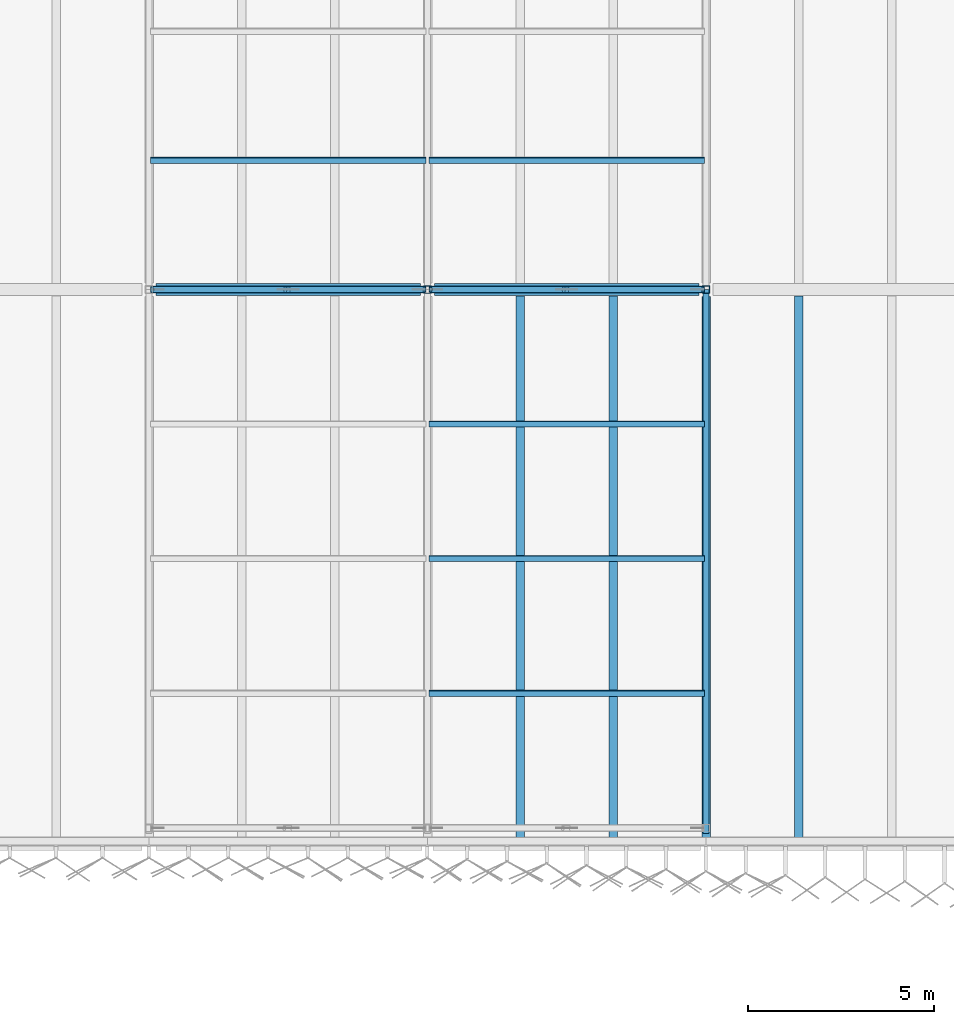
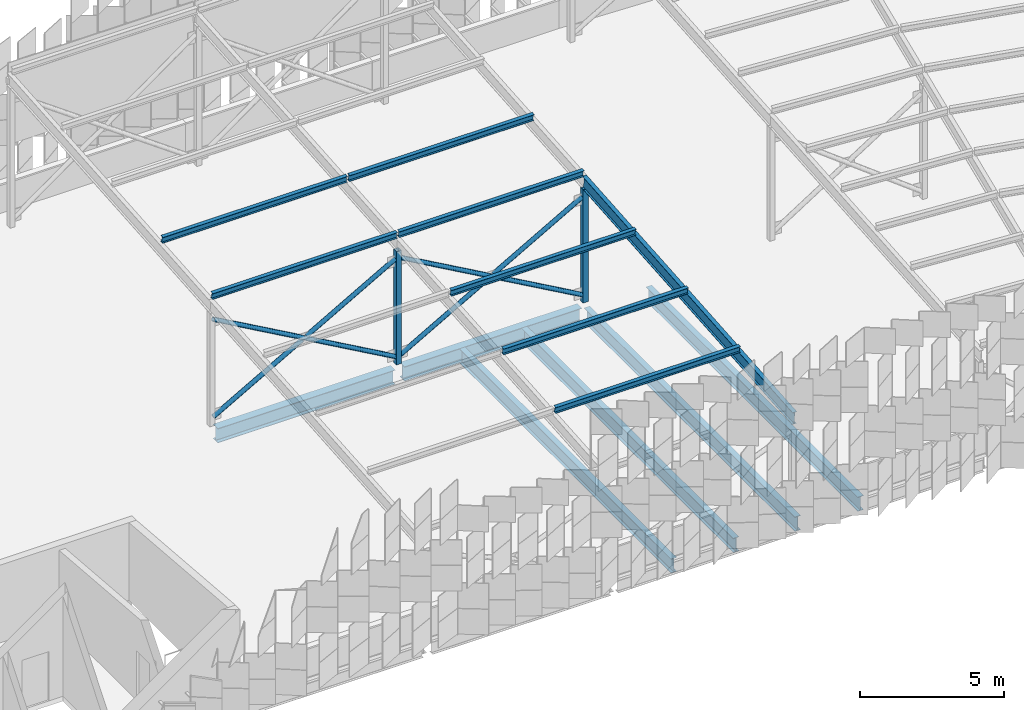
# One storey, part 81 of 483: 16 members, 6 beams.
"""IFC4 building model written with IfcOpenShell, lengths in metres."""

from ifc_helpers import new_model, si_unit, direction, frame, origin, origin_2d, place, context, subcontext, project, spatial, hollow_rectangle, hollow_circle, i_section, extrude, material, material_profile, profile_set, type_object, element, save


model = new_model("IFC4")

# Units and contexts
model_context = context("Model", 3, precision=1e-05, world=origin(), true_north=direction((0.0, 1.0)))
body_context = subcontext(model_context, "Body", "Model", "MODEL_VIEW")
ifc_project = project(units=[si_unit("LENGTHUNIT", "METRE"), si_unit("AREAUNIT", "SQUARE_METRE"), si_unit("VOLUMEUNIT", "CUBIC_METRE"), si_unit("PLANEANGLEUNIT", "RADIAN"), si_unit("MASSUNIT", "GRAM", prefix="KILO")], contexts=[model_context])

# Site, building, storey
site_placement = place(None, origin())
site = spatial("IfcSite", under=ifc_project, at=site_placement, CompositionType="ELEMENT")
building_placement = place(site_placement, origin())
building = spatial("IfcBuilding", under=site, at=building_placement, Name="Parallax Yard Mobility Hub", CompositionType="ELEMENT")
storey_placement = place(building_placement, frame((0.0, 0.0, 13.199951171875)))
storey = spatial("IfcBuildingStorey", under=building, at=storey_placement, Name="L04", CompositionType="ELEMENT", Elevation=13.199951171875)

# Members
ifc_material_1 = material(Name="Steel ASTM A500 Gr C", Category="steel")
ifc_material_profile_1 = material_profile(ifc_material_1, hollow_circle(Radius=0.0888671875, WallThickness=0.0078125, at=origin_2d()), Name="HSS177.8x7.9")
ifc_profile_set_1 = profile_set([ifc_material_profile_1], Name="Steel ASTM A500 Gr C")
member_type_1 = type_object("IfcMemberType", Name="Canopy brace HSS177.8x7.9", PredefinedType="BRACE", material=ifc_profile_set_1)
member_1_placement = place(storey_placement, frame((157.413330078125, 127.5, 0.300048828125), z_axis=(-0.870117516531, 0.0, 0.492844303432), x_axis=(0.0, -1.0, 0.0)))
element("IfcMember", 1, at=member_1_placement, inside=storey, type_object=member_type_1, Name="Canopy X brace RB bay N-C bay 1 diagonal B", PredefinedType="BRACE", context=body_context, shape_type="SweptSolid", body=[
    extrude(hollow_circle(Radius=0.0888671875, WallThickness=0.0078125, at=origin_2d()), origin(), (0.0, 0.0, 1.0), 8.42041015625),
])
for number, where, z_axis, x_axis, name in (
    (2, (150.086669921875, 127.5, 0.300048828125), (0.870112904421, 0.0, 0.492852446032), (0.0, 1.0, 0.0), "Canopy X brace RB bay N-C bay 1 diagonal A part 1"),
    (3, (153.83154296875, 127.5, 2.421142578125), (0.870112904421, 0.0, 0.492852446032), (0.0, 1.0, 0.0), "Canopy X brace RB bay N-C bay 1 diagonal A part 2"),
):
    element("IfcMember", number, at=place(storey_placement, frame(where, z_axis=z_axis, x_axis=x_axis)), inside=storey, type_object=member_type_1, Name=name, PredefinedType="BRACE", context=body_context, shape_type="SweptSolid", body=[
        extrude(hollow_circle(Radius=0.0888671875, WallThickness=0.0078125, at=origin_2d()), origin(), (0.0, 0.0, 1.0), 4.116455078125),
    ])
member_2_placement = place(storey_placement, frame((164.913330078125, 127.5, 0.300048828125), z_axis=(-0.870117516531, 0.0, 0.492844303432), x_axis=(0.0, -1.0, 0.0)))
element("IfcMember", 4, at=member_2_placement, inside=storey, type_object=member_type_1, Name="Canopy X brace RB bay N-C bay 2 diagonal B", PredefinedType="BRACE", context=body_context, shape_type="SweptSolid", body=[
    extrude(hollow_circle(Radius=0.0888671875, WallThickness=0.0078125, at=origin_2d()), origin(), (0.0, 0.0, 1.0), 8.42041015625),
])
for number, where, z_axis, x_axis, name in (
    (5, (157.586669921875, 127.5, 0.300048828125), (0.870112904421, 0.0, 0.492852446032), (0.0, 1.0, 0.0), "Canopy X brace RB bay N-C bay 2 diagonal A part 1"),
    (6, (161.33154296875, 127.5, 2.421142578125), (0.870112904421, 0.0, 0.492852446032), (0.0, 1.0, 0.0), "Canopy X brace RB bay N-C bay 2 diagonal A part 2"),
):
    element("IfcMember", number, at=place(storey_placement, frame(where, z_axis=z_axis, x_axis=x_axis)), inside=storey, type_object=member_type_1, Name=name, PredefinedType="BRACE", context=body_context, shape_type="SweptSolid", body=[
        extrude(hollow_circle(Radius=0.0888671875, WallThickness=0.0078125, at=origin_2d()), origin(), (0.0, 0.0, 1.0), 4.116455078125),
    ])
ifc_material_profile_2 = material_profile(ifc_material_1, hollow_rectangle(XDim=0.203125, YDim=0.203125, WallThickness=0.009521484375, at=origin_2d()), Name="HSS203x203x9.5")
ifc_profile_set_2 = profile_set([ifc_material_profile_2], Name="Steel ASTM A500 Gr C")
member_type_2 = type_object("IfcMemberType", Name="Canopy post HSS203x203x9.5", PredefinedType="POST", material=ifc_profile_set_2)
for number, where, z_axis, x_axis, name in (
    (7, (157.5, 127.5, 0.0), (0.0, 0.0, 1.0), (1.0, 0.0, 0.0), "Canopy post RB/N-C2"),
    (8, (165.0, 127.5, 0.0), (0.0, 0.0, 1.0), (1.0, 0.0, 0.0), "Canopy post RB/N-C3"),
):
    element("IfcMember", number, at=place(storey_placement, frame(where, z_axis=z_axis, x_axis=x_axis)), inside=storey, type_object=member_type_2, Name=name, PredefinedType="POST", context=body_context, shape_type="SweptSolid", body=[
        extrude(hollow_rectangle(XDim=0.203125, YDim=0.203125, WallThickness=0.009521484375, at=origin_2d()), origin(), (0.0, 0.0, 1.0), 4.81005859375),
    ])
ifc_material_2 = material(Name="Steel ASTM A992", Category="steel")
ifc_material_profile_3 = material_profile(ifc_material_2, i_section(OverallWidth=0.14794921875, OverallDepth=0.26611328125, WebThickness=0.007568359375, FlangeThickness=0.012939453125, at=origin_2d()), Name="W250x45")
ifc_profile_set_3 = profile_set([ifc_material_profile_3], Name="Steel ASTM A992")
member_type_3 = type_object("IfcMemberType", Name="Canopy purlin W250x45", PredefinedType="PURLIN", material=ifc_profile_set_3)
for number, where, z_axis, x_axis, name in (
    (9, (150.0400390625, 127.510498046875, 5.462158203125), (1.0, 0.0, 0.0), (0.0, 0.996815308126, 0.079744852409), "Canopy purlin sector N-C bay 1 line 5"),
    (10, (150.0400390625, 130.985595703125, 5.739990234375), (1.0, 0.0, 0.0), (0.0, 0.996815308126, 0.079744852409), "Canopy purlin sector N-C bay 1 line 6"),
    (11, (157.5400390625, 116.635498046875, 4.592041015625), (1.0, 0.0, 0.0), (0.0, 0.996815308126, 0.079744852409), "Canopy purlin sector N-C bay 2 line 2"),
    (12, (157.5400390625, 120.260498046875, 4.882080078125), (1.0, 0.0, 0.0), (0.0, 0.996815308126, 0.079744852409), "Canopy purlin sector N-C bay 2 line 3"),
    (13, (157.5400390625, 123.885498046875, 5.172119140625), (1.0, 0.0, 0.0), (0.0, 0.996815308126, 0.079744852409), "Canopy purlin sector N-C bay 2 line 4"),
    (14, (157.5400390625, 127.510498046875, 5.462158203125), (1.0, 0.0, 0.0), (0.0, 0.996815308126, 0.079744852409), "Canopy purlin sector N-C bay 2 line 5"),
    (15, (157.5400390625, 130.985595703125, 5.739990234375), (1.0, 0.0, 0.0), (0.0, 0.996815308126, 0.079744852409), "Canopy purlin sector N-C bay 2 line 6"),
):
    element("IfcMember", number, at=place(storey_placement, frame(where, z_axis=z_axis, x_axis=x_axis)), inside=storey, type_object=member_type_3, Name=name, PredefinedType="PURLIN", context=body_context, shape_type="SweptSolid", body=[
        extrude(i_section(OverallWidth=0.14794921875, OverallDepth=0.26611328125, WebThickness=0.007568359375, FlangeThickness=0.012939453125, at=origin_2d()), origin(), (0.0, 0.0, 1.0), 7.419921875),
    ])
ifc_material_profile_4 = material_profile(ifc_material_2, i_section(OverallWidth=0.166015625, OverallDepth=0.529052734375, WebThickness=0.009765625, FlangeThickness=0.013671875, at=origin_2d()), Name="W530x74")
ifc_profile_set_4 = profile_set([ifc_material_profile_4], Name="Steel ASTM A992")
member_type_4 = type_object("IfcMemberType", Name="Canopy rafter W530x74", PredefinedType="RAFTER", material=ifc_profile_set_4)
member_3_placement = place(storey_placement, frame((165.0, 112.87109375, 3.89501953125), z_axis=(0.0, 0.996814591838, 0.079753805543), x_axis=(-1.0, 0.0, 0.0)))
element("IfcMember", 16, at=member_3_placement, inside=storey, type_object=member_type_4, Name="Canopy rafter N-C3 inner span", PredefinedType="RAFTER", context=body_context, shape_type="SweptSolid", body=[
    extrude(i_section(OverallWidth=0.166015625, OverallDepth=0.529052734375, WebThickness=0.009765625, FlangeThickness=0.013671875, at=origin_2d()), origin(), (0.0, 0.0, 1.0), 14.69677734375),
])

# Beams
ifc_material_profile_5 = material_profile(ifc_material_2, i_section(OverallWidth=0.22802734375, OverallDepth=0.60205078125, WebThickness=0.010498046875, FlangeThickness=0.014892578125, FilletRadius=0.0126953125, at=origin_2d()), Name="W610x101")
ifc_profile_set_5 = profile_set([ifc_material_profile_5], Name="Steel ASTM A992")
beam_type_1 = type_object("IfcBeamType", Name="W610x101 secondary beam", PredefinedType="JOIST", material=ifc_profile_set_5)
for number, where, z_axis, x_axis, name in (
    (17, (160.0, 112.6044921875, -0.44091796875), (0.0, 1.0, 0.0), (-1.0, 0.0, 0.0), "Secondary beam B3 level L04, 2.5 m east of line 22 of ramped parking decks, span 1"),
    (18, (167.5, 112.6044921875, -0.44091796875), (0.0, 1.0, 0.0), (-1.0, 0.0, 0.0), "Secondary beam B3 level L04, 2.5 m east of line 23 of ramped parking decks, span 1"),
    (19, (162.5, 112.6044921875, -0.44091796875), (0.0, 1.0, 0.0), (-1.0, 0.0, 0.0), "Secondary beam B3 level L04, 5 m east of line 22 of ramped parking decks, span 1"),
):
    element("IfcBeam", number, at=place(storey_placement, frame(where, z_axis=z_axis, x_axis=x_axis)), inside=storey, type_object=beam_type_1, Name=name, PredefinedType="JOIST", context=body_context, shape_type="SweptSolid", body=[
        extrude(i_section(OverallWidth=0.22802734375, OverallDepth=0.60205078125, WebThickness=0.010498046875, FlangeThickness=0.014892578125, FilletRadius=0.0126953125, at=origin_2d()), origin(), (0.0, 0.0, 1.0), 14.73291015625),
    ])
ifc_material_profile_6 = material_profile(ifc_material_2, i_section(OverallWidth=0.22900390625, OverallDepth=0.612060546875, WebThickness=0.011962890625, FlangeThickness=0.01953125, FilletRadius=0.0126953125, at=origin_2d()), Name="W610x125")
ifc_profile_set_6 = profile_set([ifc_material_profile_6], Name="Steel ASTM A992")
beam_type_2 = type_object("IfcBeamType", Name="W610x125 girder", PredefinedType="BEAM", material=ifc_profile_set_6)
beam_placement = place(storey_placement, frame((165.0, 112.653564453125, -0.446044921875), z_axis=(0.0, 1.0, 0.0), x_axis=(-1.0, 0.0, 0.0)))
element("IfcBeam", 20, at=beam_placement, inside=storey, type_object=beam_type_2, Name="Girder G3 level L04, line 23 of ramped parking decks, span 1", PredefinedType="BEAM", context=body_context, shape_type="SweptSolid", body=[
    extrude(i_section(OverallWidth=0.22900390625, OverallDepth=0.612060546875, WebThickness=0.011962890625, FlangeThickness=0.01953125, FilletRadius=0.0126953125, at=origin_2d()), origin(), (0.0, 0.0, 1.0), 14.662353515625),
])
ifc_material_profile_7 = material_profile(ifc_material_2, i_section(OverallWidth=0.324951171875, OverallDepth=0.612060546875, WebThickness=0.0126953125, FlangeThickness=0.01904296875, FilletRadius=0.0126953125, at=origin_2d()), Name="W610x155")
ifc_profile_set_7 = profile_set([ifc_material_profile_7], Name="Steel ASTM A992")
beam_type_3 = type_object("IfcBeamType", Name="W610x155 longitudinal beam", PredefinedType="BEAM", material=ifc_profile_set_7)
for number, where, z_axis, x_axis, name in (
    (21, (150.1865234375, 127.5, -0.446044921875), (1.0, 0.0, 0.0), (0.0, 1.0, 0.0), "Longitudinal beam SB8 level L04, line T of ramped parking decks, span 17"),
    (22, (157.6865234375, 127.5, -0.446044921875), (1.0, 0.0, 0.0), (0.0, 1.0, 0.0), "Longitudinal beam SB8 level L04, line T of ramped parking decks, span 18"),
):
    element("IfcBeam", number, at=place(storey_placement, frame(where, z_axis=z_axis, x_axis=x_axis)), inside=storey, type_object=beam_type_3, Name=name, PredefinedType="BEAM", context=body_context, shape_type="SweptSolid", body=[
        extrude(i_section(OverallWidth=0.324951171875, OverallDepth=0.612060546875, WebThickness=0.0126953125, FlangeThickness=0.01904296875, FilletRadius=0.0126953125, at=origin_2d()), origin(), (0.0, 0.0, 1.0), 7.126953125),
    ])

save(model, "model.ifc")
